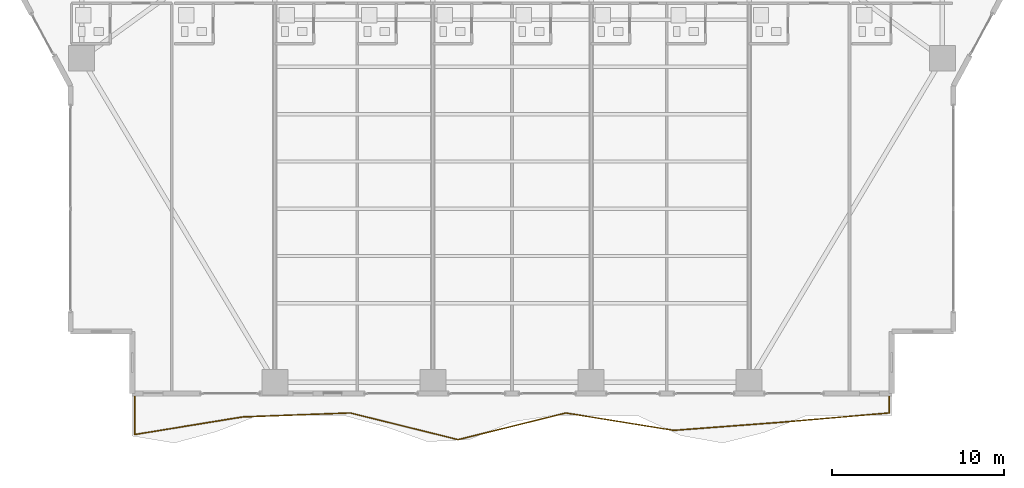
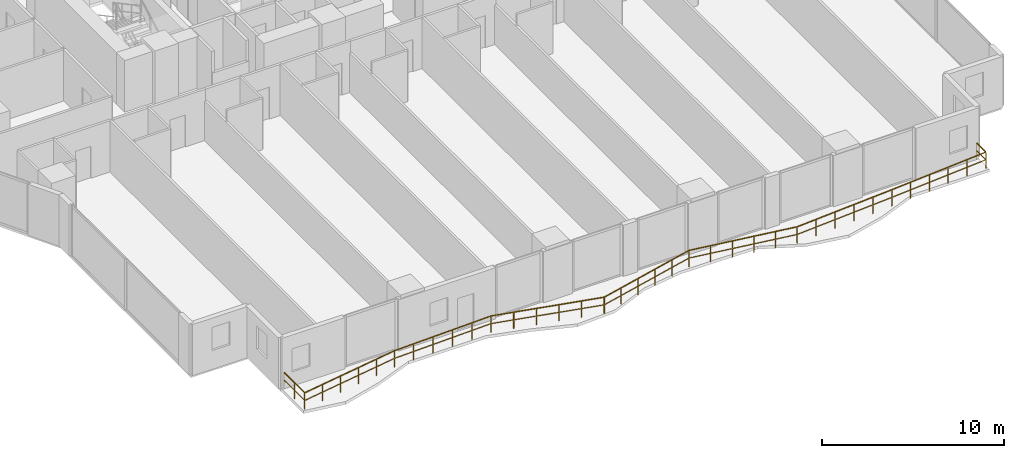
# One storey, part 25 of 29: 1 railing.
"""IFC4 building model written with IfcOpenShell, lengths in metres."""

from ifc_helpers import new_model, si_unit, direction, frame, origin, origin_2d, place, context, subcontext, project, spatial, rectangle, extrude, material, type_object, element, save


model = new_model("IFC4")

# Units and contexts
model_context = context("Model", 3, precision=1e-05, world=origin(), true_north=direction((0.0, 1.0)))
body_context = subcontext(model_context, "Body", "Model", "MODEL_VIEW")
ifc_project = project(units=[si_unit("LENGTHUNIT", "METRE"), si_unit("AREAUNIT", "SQUARE_METRE"), si_unit("VOLUMEUNIT", "CUBIC_METRE"), si_unit("PLANEANGLEUNIT", "RADIAN"), si_unit("MASSUNIT", "GRAM", prefix="KILO")], contexts=[model_context])

# Site, building, storey
site_placement = place(None, origin())
site = spatial("IfcSite", under=ifc_project, at=site_placement, CompositionType="ELEMENT")
building_placement = place(site_placement, origin())
building = spatial("IfcBuilding", under=site, at=building_placement, Name="Zuhayl Quay Hotel", CompositionType="ELEMENT")
storey_placement = place(building_placement, frame((0.0, 0.0, 67.75)))
storey = spatial("IfcBuildingStorey", under=building, at=storey_placement, Name="L16", CompositionType="ELEMENT", Elevation=67.75)

# Railing
ifc_material = material(Name="Anodised Aluminium and Laminated Glass", Category="aluminium")
railing_type = type_object("IfcRailingType", Name="RL_EXT_BAL_1100", PredefinedType="BALUSTRADE", material=ifc_material)
railing_placement = place(storey_placement, frame((-21.9599609375, -23.219970703125, 0.0)))
element("IfcRailing", 1, at=railing_placement, inside=storey, type_object=railing_type, Name="L16 Balcony and Terrace Guard GR_L16_BAL_S", PredefinedType="BALUSTRADE", context=body_context, shape_type="SweptSolid", body=[
    extrude(rectangle(XDim=0.048095703125, YDim=0.048095703125, at=origin_2d()), frame((0.0, 0.0, 1.09619140625), z_axis=(0.0, -1.0, 0.0), x_axis=(1.0, 0.0, 0.0)), (0.0, 0.0, 1.0), 2.276123046875),
    extrude(rectangle(XDim=0.0361328125, YDim=0.0361328125, at=origin_2d()), frame((0.0, 0.0, 0.58251953125), z_axis=(0.0, -1.0, 0.0), x_axis=(1.0, 0.0, 0.0)), (0.0, 0.0, 1.0), 2.276123046875),
    extrude(rectangle(XDim=0.048095703125, YDim=0.048095703125, at=origin_2d()), frame((0.0, -2.276123046875, 1.09619140625), z_axis=(0.986949701578, 0.161028837648, 0.0), x_axis=(-0.161028837648, 0.986949701578, 0.0)), (0.0, 0.0, 1.0), 6.357177734375),
    extrude(rectangle(XDim=0.0361328125, YDim=0.0361328125, at=origin_2d()), frame((0.0, -2.276123046875, 0.58251953125), z_axis=(0.986949701578, 0.161028837648, 0.0), x_axis=(-0.161028837648, 0.986949701578, 0.0)), (0.0, 0.0, 1.0), 6.357177734375),
    extrude(rectangle(XDim=0.048095703125, YDim=0.048095703125, at=origin_2d()), frame((6.274169921875, -1.25244140625, 1.09619140625), z_axis=(0.999314620688, 0.037017413187, 0.0), x_axis=(-0.037017413187, 0.999314620688, 0.0)), (0.0, 0.0, 1.0), 6.27880859375),
    extrude(rectangle(XDim=0.0361328125, YDim=0.0361328125, at=origin_2d()), frame((6.274169921875, -1.25244140625, 0.58251953125), z_axis=(0.999314620688, 0.037017413187, 0.0), x_axis=(-0.037017413187, 0.999314620688, 0.0)), (0.0, 0.0, 1.0), 6.27880859375),
    extrude(rectangle(XDim=0.048095703125, YDim=0.048095703125, at=origin_2d()), frame((12.548583984375, -1.02001953125, 1.09619140625), z_axis=(0.970662372843, -0.240446580237, 0.0), x_axis=(0.240446580237, 0.970662372843, 0.0)), (0.0, 0.0, 1.0), 6.4638671875),
    extrude(rectangle(XDim=0.0361328125, YDim=0.0361328125, at=origin_2d()), frame((12.548583984375, -1.02001953125, 0.58251953125), z_axis=(0.970662372843, -0.240446580237, 0.0), x_axis=(0.240446580237, 0.970662372843, 0.0)), (0.0, 0.0, 1.0), 6.4638671875),
    extrude(rectangle(XDim=0.048095703125, YDim=0.048095703125, at=origin_2d()), frame((18.82275390625, -2.57421875, 1.09619140625), z_axis=(0.970664556403, 0.240437765216, 0.0), x_axis=(-0.240437765216, 0.970664556403, 0.0)), (0.0, 0.0, 1.0), 6.464111328125),
    extrude(rectangle(XDim=0.0361328125, YDim=0.0361328125, at=origin_2d()), frame((18.82275390625, -2.57421875, 0.58251953125), z_axis=(0.970664556403, 0.240437765216, 0.0), x_axis=(-0.240437765216, 0.970664556403, 0.0)), (0.0, 0.0, 1.0), 6.464111328125),
    extrude(rectangle(XDim=0.048095703125, YDim=0.048095703125, at=origin_2d()), frame((25.09716796875, -1.02001953125, 1.09619140625), z_axis=(0.987192766004, -0.159531948995, 0.0), x_axis=(0.159531948995, 0.987192766004, 0.0)), (0.0, 0.0, 1.0), 6.35546875),
    extrude(rectangle(XDim=0.0361328125, YDim=0.0361328125, at=origin_2d()), frame((25.09716796875, -1.02001953125, 0.58251953125), z_axis=(0.987192766004, -0.159531948995, 0.0), x_axis=(0.159531948995, 0.987192766004, 0.0)), (0.0, 0.0, 1.0), 6.35546875),
    extrude(rectangle(XDim=0.048095703125, YDim=0.048095703125, at=origin_2d()), frame((31.371337890625, -2.033935546875, 1.09619140625), z_axis=(0.997160108592, 0.075310808201, 0.0), x_axis=(-0.075310808201, 0.997160108592, 0.0)), (0.0, 0.0, 1.0), 6.292236328125),
    extrude(rectangle(XDim=0.0361328125, YDim=0.0361328125, at=origin_2d()), frame((31.371337890625, -2.033935546875, 0.58251953125), z_axis=(0.997160108592, 0.075310808201, 0.0), x_axis=(-0.075310808201, 0.997160108592, 0.0)), (0.0, 0.0, 1.0), 6.292236328125),
    extrude(rectangle(XDim=0.048095703125, YDim=0.048095703125, at=origin_2d()), frame((37.645751953125, -1.56005859375, 1.09619140625), z_axis=(0.99631614259, 0.085756305981, 0.0), x_axis=(-0.085756305981, 0.99631614259, 0.0)), (0.0, 0.0, 1.0), 6.29736328125),
    extrude(rectangle(XDim=0.0361328125, YDim=0.0361328125, at=origin_2d()), frame((37.645751953125, -1.56005859375, 0.58251953125), z_axis=(0.99631614259, 0.085756305981, 0.0), x_axis=(-0.085756305981, 0.99631614259, 0.0)), (0.0, 0.0, 1.0), 6.29736328125),
    extrude(rectangle(XDim=0.048095703125, YDim=0.048095703125, at=origin_2d()), frame((43.919921875, -1.02001953125, 1.09619140625), z_axis=(0.0, 1.0, 0.0), x_axis=(-1.0, 0.0, 0.0)), (0.0, 0.0, 1.0), 1.02001953125),
    extrude(rectangle(XDim=0.0361328125, YDim=0.0361328125, at=origin_2d()), frame((43.919921875, -1.02001953125, 0.58251953125), z_axis=(0.0, 1.0, 0.0), x_axis=(-1.0, 0.0, 0.0)), (0.0, 0.0, 1.0), 1.02001953125),
    extrude(rectangle(XDim=0.0419921875, YDim=0.0419921875, at=origin_2d()), origin(), (0.0, 0.0, 1.0), 1.072021484375),
    extrude(rectangle(XDim=0.0419921875, YDim=0.0419921875, at=origin_2d()), frame((0.0, -1.13818359375, 0.0)), (0.0, 0.0, 1.0), 1.072021484375),
    extrude(rectangle(XDim=0.0419921875, YDim=0.0419921875, at=origin_2d()), frame((0.0, -2.276123046875, 0.0)), (0.0, 0.0, 1.0), 1.072021484375),
    extrude(rectangle(XDim=0.0419921875, YDim=0.0419921875, at=origin_2d()), frame((1.2548828125, -2.0712890625, 0.0)), (0.0, 0.0, 1.0), 1.072021484375),
    extrude(rectangle(XDim=0.0419921875, YDim=0.0419921875, at=origin_2d()), frame((2.509765625, -1.86669921875, 0.0)), (0.0, 0.0, 1.0), 1.072021484375),
    extrude(rectangle(XDim=0.0419921875, YDim=0.0419921875, at=origin_2d()), frame((3.764404296875, -1.661865234375, 0.0)), (0.0, 0.0, 1.0), 1.072021484375),
    extrude(rectangle(XDim=0.0419921875, YDim=0.0419921875, at=origin_2d()), frame((5.019287109375, -1.457275390625, 0.0)), (0.0, 0.0, 1.0), 1.072021484375),
    extrude(rectangle(XDim=0.0419921875, YDim=0.0419921875, at=origin_2d()), frame((6.274169921875, -1.25244140625, 0.0)), (0.0, 0.0, 1.0), 1.072021484375),
    extrude(rectangle(XDim=0.0419921875, YDim=0.0419921875, at=origin_2d()), frame((7.529052734375, -1.2060546875, 0.0)), (0.0, 0.0, 1.0), 1.072021484375),
    extrude(rectangle(XDim=0.0419921875, YDim=0.0419921875, at=origin_2d()), frame((8.783935546875, -1.159423828125, 0.0)), (0.0, 0.0, 1.0), 1.072021484375),
    extrude(rectangle(XDim=0.0419921875, YDim=0.0419921875, at=origin_2d()), frame((10.038818359375, -1.113037109375, 0.0)), (0.0, 0.0, 1.0), 1.072021484375),
    extrude(rectangle(XDim=0.0419921875, YDim=0.0419921875, at=origin_2d()), frame((11.293701171875, -1.06640625, 0.0)), (0.0, 0.0, 1.0), 1.072021484375),
    extrude(rectangle(XDim=0.0419921875, YDim=0.0419921875, at=origin_2d()), frame((12.548583984375, -1.02001953125, 0.0)), (0.0, 0.0, 1.0), 1.072021484375),
    extrude(rectangle(XDim=0.0419921875, YDim=0.0419921875, at=origin_2d()), frame((13.803466796875, -1.330810546875, 0.0)), (0.0, 0.0, 1.0), 1.072021484375),
    extrude(rectangle(XDim=0.0419921875, YDim=0.0419921875, at=origin_2d()), frame((15.058349609375, -1.6416015625, 0.0)), (0.0, 0.0, 1.0), 1.072021484375),
    extrude(rectangle(XDim=0.0419921875, YDim=0.0419921875, at=origin_2d()), frame((16.31298828125, -1.95263671875, 0.0)), (0.0, 0.0, 1.0), 1.072021484375),
    extrude(rectangle(XDim=0.0419921875, YDim=0.0419921875, at=origin_2d()), frame((17.56787109375, -2.263427734375, 0.0)), (0.0, 0.0, 1.0), 1.072021484375),
    extrude(rectangle(XDim=0.0419921875, YDim=0.0419921875, at=origin_2d()), frame((18.82275390625, -2.57421875, 0.0)), (0.0, 0.0, 1.0), 1.072021484375),
    extrude(rectangle(XDim=0.0419921875, YDim=0.0419921875, at=origin_2d()), frame((20.07763671875, -2.263427734375, 0.0)), (0.0, 0.0, 1.0), 1.072021484375),
    extrude(rectangle(XDim=0.0419921875, YDim=0.0419921875, at=origin_2d()), frame((21.33251953125, -1.95263671875, 0.0)), (0.0, 0.0, 1.0), 1.072021484375),
    extrude(rectangle(XDim=0.0419921875, YDim=0.0419921875, at=origin_2d()), frame((22.58740234375, -1.6416015625, 0.0)), (0.0, 0.0, 1.0), 1.072021484375),
    extrude(rectangle(XDim=0.0419921875, YDim=0.0419921875, at=origin_2d()), frame((23.84228515625, -1.330810546875, 0.0)), (0.0, 0.0, 1.0), 1.072021484375),
    extrude(rectangle(XDim=0.0419921875, YDim=0.0419921875, at=origin_2d()), frame((25.09716796875, -1.02001953125, 0.0)), (0.0, 0.0, 1.0), 1.072021484375),
    extrude(rectangle(XDim=0.0419921875, YDim=0.0419921875, at=origin_2d()), frame((26.35205078125, -1.222900390625, 0.0)), (0.0, 0.0, 1.0), 1.072021484375),
    extrude(rectangle(XDim=0.0419921875, YDim=0.0419921875, at=origin_2d()), frame((27.60693359375, -1.425537109375, 0.0)), (0.0, 0.0, 1.0), 1.072021484375),
    extrude(rectangle(XDim=0.0419921875, YDim=0.0419921875, at=origin_2d()), frame((28.861572265625, -1.62841796875, 0.0)), (0.0, 0.0, 1.0), 1.072021484375),
    extrude(rectangle(XDim=0.0419921875, YDim=0.0419921875, at=origin_2d()), frame((30.116455078125, -1.8310546875, 0.0)), (0.0, 0.0, 1.0), 1.072021484375),
    extrude(rectangle(XDim=0.0419921875, YDim=0.0419921875, at=origin_2d()), frame((31.371337890625, -2.033935546875, 0.0)), (0.0, 0.0, 1.0), 1.072021484375),
    extrude(rectangle(XDim=0.0419921875, YDim=0.0419921875, at=origin_2d()), frame((32.626220703125, -1.939208984375, 0.0)), (0.0, 0.0, 1.0), 1.072021484375),
    extrude(rectangle(XDim=0.0419921875, YDim=0.0419921875, at=origin_2d()), frame((33.881103515625, -1.844482421875, 0.0)), (0.0, 0.0, 1.0), 1.072021484375),
    extrude(rectangle(XDim=0.0419921875, YDim=0.0419921875, at=origin_2d()), frame((35.135986328125, -1.74951171875, 0.0)), (0.0, 0.0, 1.0), 1.072021484375),
    extrude(rectangle(XDim=0.0419921875, YDim=0.0419921875, at=origin_2d()), frame((36.390869140625, -1.65478515625, 0.0)), (0.0, 0.0, 1.0), 1.072021484375),
    extrude(rectangle(XDim=0.0419921875, YDim=0.0419921875, at=origin_2d()), frame((37.645751953125, -1.56005859375, 0.0)), (0.0, 0.0, 1.0), 1.072021484375),
    extrude(rectangle(XDim=0.0419921875, YDim=0.0419921875, at=origin_2d()), frame((38.900634765625, -1.4521484375, 0.0)), (0.0, 0.0, 1.0), 1.072021484375),
    extrude(rectangle(XDim=0.0419921875, YDim=0.0419921875, at=origin_2d()), frame((40.155517578125, -1.343994140625, 0.0)), (0.0, 0.0, 1.0), 1.072021484375),
    extrude(rectangle(XDim=0.0419921875, YDim=0.0419921875, at=origin_2d()), frame((41.41015625, -1.236083984375, 0.0)), (0.0, 0.0, 1.0), 1.072021484375),
    extrude(rectangle(XDim=0.0419921875, YDim=0.0419921875, at=origin_2d()), frame((42.6650390625, -1.1279296875, 0.0)), (0.0, 0.0, 1.0), 1.072021484375),
    extrude(rectangle(XDim=0.0419921875, YDim=0.0419921875, at=origin_2d()), frame((43.919921875, -1.02001953125, 0.0)), (0.0, 0.0, 1.0), 1.072021484375),
    extrude(rectangle(XDim=0.0419921875, YDim=0.0419921875, at=origin_2d()), frame((43.919921875, 0.0, 0.0)), (0.0, 0.0, 1.0), 1.072021484375),
])

save(model, "model.ifc")
